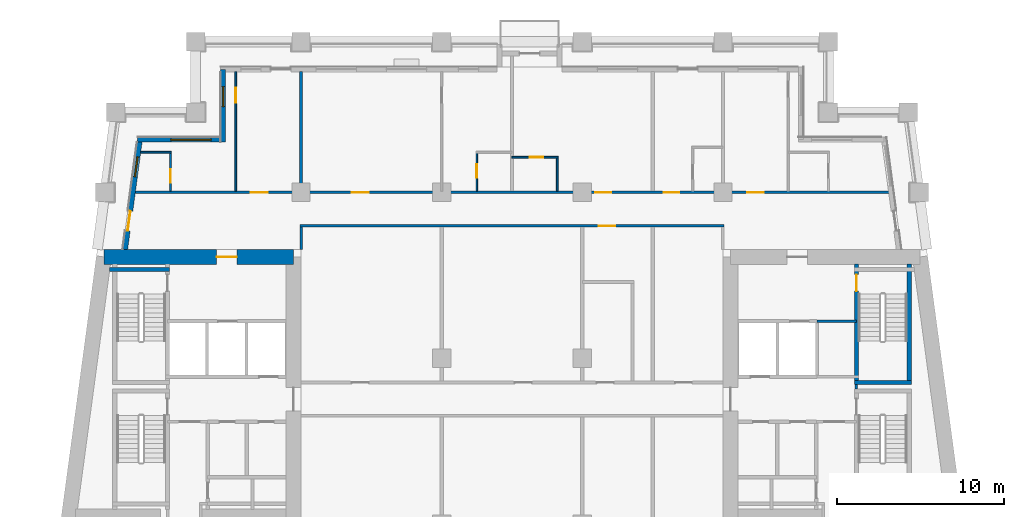
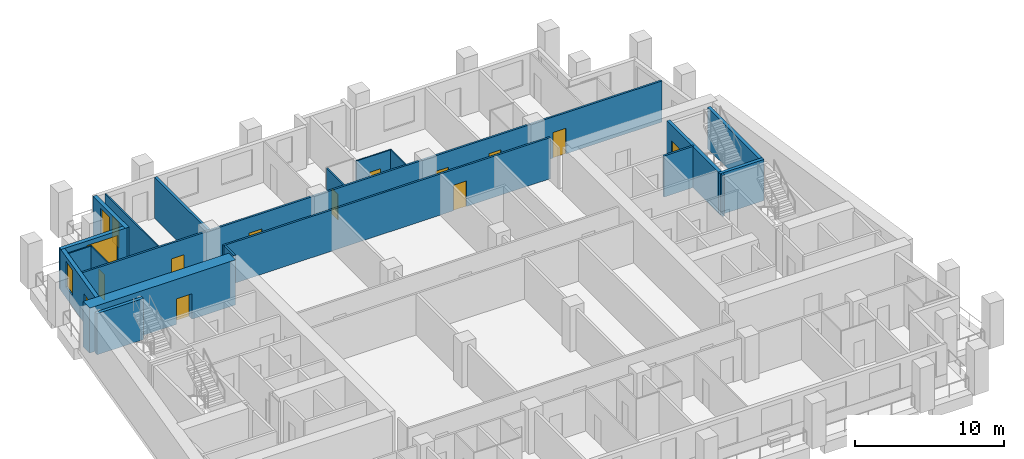
# One storey, part 6 of 13: 20 walls, 13 doors, 3 windows, 16 openings.
"""IFC4 building model written with IfcOpenShell, lengths in metres."""

from ifc_helpers import new_model, si_unit, direction, frame, frame_2d, origin, place, context, subcontext, project, spatial, rectangle, extrude, material, layer, layer_set, type_object, element, fill, save


model = new_model("IFC4")

# Units and contexts
model_context = context("Model", 3, precision=1e-05, world=origin(), true_north=direction((0.0, 1.0)))
body_context = subcontext(model_context, "Body", "Model", "MODEL_VIEW")
ifc_project = project(units=[si_unit("LENGTHUNIT", "METRE"), si_unit("AREAUNIT", "SQUARE_METRE"), si_unit("VOLUMEUNIT", "CUBIC_METRE"), si_unit("PLANEANGLEUNIT", "RADIAN"), si_unit("MASSUNIT", "GRAM", prefix="KILO")], contexts=[model_context])

# Site, building, storey
site_placement = place(None, origin())
site = spatial("IfcSite", under=ifc_project, at=site_placement, CompositionType="ELEMENT")
building_placement = place(site_placement, origin())
building = spatial("IfcBuilding", under=site, at=building_placement, Name="Candeia Pilgrim Tower and Theatre", CompositionType="ELEMENT")
storey_placement = place(building_placement, frame((0.0, 0.0, 151.5)))
storey = spatial("IfcBuildingStorey", under=building, at=storey_placement, Name="L35", CompositionType="ELEMENT", Elevation=151.5)

# Wall, opening, door
ifc_material_1 = material(Name="Concrete C60/75", Category="concrete")
ifc_layer_1 = layer(ifc_material_1, 0.89990234375)
ifc_layer_set_1 = layer_set([ifc_layer_1], Name="Core wall 900 C60/75")
wall_type_1 = type_object("IfcWallType", Name="Core wall 900 C60/75", PredefinedType="SHEAR", material=ifc_layer_set_1)
wall_1_placement = place(storey_placement, frame((89.024169921875, 131.949951171875, 0.0), z_axis=(0.0, 0.0, 1.0), x_axis=(1.0, 0.0, 0.0)))
wall_1 = element("IfcWall", 1, at=wall_1_placement, inside=storey, type_object=wall_type_1, Name="Core wall W1", PredefinedType="SHEAR", context=body_context, shape_type="SweptSolid", body=[
    extrude(rectangle(XDim=11.325927734375, YDim=0.89990234375, at=frame_2d((5.6630859375, 0.0))), origin(), (0.0, 0.0, 1.0), 3.699951171875),
])
opening_1_placement = place(wall_1_placement, frame((6.7392578125, 0.0, 0.0)))
opening_1 = element("IfcOpeningElement", 2, at=opening_1_placement, cuts=wall_1, Name="Opening L35-D058", PredefinedType="OPENING", context=body_context, shape_type="SweptSolid", body=[
    extrude(rectangle(XDim=1.199951171875, YDim=2.10009765625, at=frame_2d((0.60009765625, 1.050048828125))), frame((0.0, 0.4599609375, 0.0), z_axis=(0.0, -1.0, 0.0), x_axis=(1.0, 0.0, 0.0)), (0.0, 0.0, 1.0), 0.919921875),
])
ifc_material_2 = material(Name="Steel fire door set", Category="steel")
door_type_1 = type_object("IfcDoorType", Name="D-1200-FD60", OperationType="NOTDEFINED", PredefinedType="DOOR", material=ifc_material_2)
door_1_placement = place(opening_1_placement, origin())
door_1 = element("IfcDoor", 3, at=door_1_placement, inside=storey, type_object=door_type_1, Name="Door L35-D058", OperationType="SINGLE_SWING_LEFT", OverallHeight=2.10009765625, OverallWidth=1.199951171875, PredefinedType="DOOR", context=body_context, shape_type="SweptSolid", body=[
    extrude(rectangle(XDim=1.199951171875, YDim=2.10009765625, at=frame_2d((0.60009765625, 1.050048828125))), frame((0.0, 0.02490234375, 0.0), z_axis=(0.0, -1.0, 0.0), x_axis=(1.0, 0.0, 0.0)), (0.0, 0.0, 1.0), 0.050048828125),
])
fill(opening_1, door_1)

# Wall, opening, window
ifc_material_3 = material(Name="Ceramic block masonry", Category="masonry")
ifc_layer_2 = layer(ifc_material_3, 0.300048828125)
ifc_layer_set_2 = layer_set([ifc_layer_2], Name="EW1 glazing-line wall 300")
wall_type_2 = type_object("IfcWallType", Name="EW1 glazing-line wall 300", PredefinedType="SOLIDWALL", material=ifc_layer_set_2)
wall_2_placement = place(storey_placement, frame((96.14990234375, 143.14990234375, 0.0), z_axis=(0.0, 0.0, 1.0), x_axis=(0.0, -1.0, 0.0)))
wall_2 = element("IfcWall", 4, at=wall_2_placement, inside=storey, type_object=wall_type_2, Name="External wall L35-7.0", PredefinedType="SOLIDWALL", context=body_context, shape_type="SweptSolid", body=[
    extrude(rectangle(XDim=4.349853515625, YDim=0.300048828125, at=frame_2d((2.1748046875, 0.0))), origin(), (0.0, 0.0, 1.0), 3.3798828125),
])
opening_2_placement = place(wall_2_placement, frame((1.02490234375, 0.0, 0.89990234375)))
opening_2 = element("IfcOpeningElement", 5, at=opening_2_placement, cuts=wall_2, Name="Opening W-B", PredefinedType="OPENING", context=body_context, shape_type="SweptSolid", body=[
    extrude(rectangle(XDim=1.199951171875, YDim=2.10009765625, at=frame_2d((0.60009765625, 1.050048828125))), frame((0.0, 0.16015625, 0.0), z_axis=(0.0, -1.0, 0.0), x_axis=(1.0, 0.0, 0.0)), (0.0, 0.0, 1.0), 0.320068359375),
])
ifc_material_4 = material(Name="Aluminium framed double glazing", Category="aluminium")
window_type_1 = type_object("IfcWindowType", Name="W-B window 1200x2100", PartitioningType="SINGLE_PANEL", PredefinedType="WINDOW", material=ifc_material_4)
window_1_placement = place(opening_2_placement, origin())
window_1 = element("IfcWindow", 6, at=window_1_placement, inside=storey, type_object=window_type_1, Name="Window W-B L35", OverallHeight=2.10009765625, OverallWidth=1.199951171875, PartitioningType="SINGLE_PANEL", PredefinedType="WINDOW", context=body_context, shape_type="SweptSolid", body=[
    extrude(rectangle(XDim=1.199951171875, YDim=2.10009765625, at=frame_2d((0.60009765625, 1.050048828125))), frame((0.0, 0.030029296875, 0.0), z_axis=(0.0, -1.0, 0.0), x_axis=(1.0, 0.0, 0.0)), (0.0, 0.0, 1.0), 0.06005859375),
])
fill(opening_2, window_1)

wall_3_placement = place(storey_placement, frame((96.14990234375, 138.949951171875, 0.0), z_axis=(0.0, 0.0, 1.0), x_axis=(-1.0, 0.0, 0.0)))
wall_3 = element("IfcWall", 7, at=wall_3_placement, inside=storey, type_object=wall_type_2, Name="External wall L35-8.0", PredefinedType="SOLIDWALL", context=body_context, shape_type="SweptSolid", body=[
    extrude(rectangle(XDim=5.103759765625, YDim=0.300048828125, at=frame_2d((2.5517578125, 0.0))), origin(), (0.0, 0.0, 1.0), 3.3798828125),
])
opening_3_placement = place(wall_3_placement, frame((0.72509765625, 0.0, 0.89990234375)))
opening_3 = element("IfcOpeningElement", 8, at=opening_3_placement, cuts=wall_3, Name="Opening W-A", PredefinedType="OPENING", context=body_context, shape_type="SweptSolid", body=[
    extrude(rectangle(XDim=2.39990234375, YDim=2.10009765625, at=frame_2d((1.199951171875, 1.050048828125))), frame((0.0, 0.16015625, 0.0), z_axis=(0.0, -1.0, 0.0), x_axis=(1.0, 0.0, 0.0)), (0.0, 0.0, 1.0), 0.320068359375),
])
window_type_2 = type_object("IfcWindowType", Name="W-A window 2400x2100", PartitioningType="DOUBLE_PANEL_VERTICAL", PredefinedType="WINDOW", material=ifc_material_4)
window_2_placement = place(opening_3_placement, origin())
window_2 = element("IfcWindow", 9, at=window_2_placement, inside=storey, type_object=window_type_2, Name="Window W-A L35", OverallHeight=2.10009765625, OverallWidth=2.39990234375, PartitioningType="SINGLE_PANEL", PredefinedType="WINDOW", context=body_context, shape_type="SweptSolid", body=[
    extrude(rectangle(XDim=2.39990234375, YDim=2.10009765625, at=frame_2d((1.199951171875, 1.050048828125))), frame((0.0, 0.030029296875, 0.0), z_axis=(0.0, -1.0, 0.0), x_axis=(1.0, 0.0, 0.0)), (0.0, 0.0, 1.0), 0.06005859375),
])
fill(opening_3, window_2)

# Wall, openings, door, window
wall_4_placement = place(storey_placement, frame((91.177490234375, 138.949951171875, 0.0), z_axis=(0.0, 0.0, 1.0), x_axis=(-0.133426664613, -0.991058689065, 0.0)))
wall_4 = element("IfcWall", 10, at=wall_4_placement, inside=storey, type_object=wall_type_2, Name="External wall L35-9.0", PredefinedType="SOLIDWALL", context=body_context, shape_type="SweptSolid", body=[
    extrude(rectangle(XDim=6.609130859375, YDim=0.300048828125, at=frame_2d((3.3046875, 0.0))), origin(), (0.0, 0.0, 1.0), 3.3798828125),
])
opening_4_placement = place(wall_4_placement, frame((1.039306640625, 0.0, 0.89990234375)))
opening_4 = element("IfcOpeningElement", 11, at=opening_4_placement, cuts=wall_4, Name="Opening W-B", PredefinedType="OPENING", context=body_context, shape_type="SweptSolid", body=[
    extrude(rectangle(XDim=1.199951171875, YDim=2.10009765625, at=frame_2d((0.60009765625, 1.050048828125))), frame((0.0, 0.16015625, 0.0), z_axis=(0.0, -1.0, 0.0), x_axis=(1.0, 0.0, 0.0)), (0.0, 0.0, 1.0), 0.320068359375),
])
opening_5_placement = place(wall_4_placement, frame((4.293701171875, 0.0, 0.0)))
opening_5 = element("IfcOpeningElement", 12, at=opening_5_placement, cuts=wall_4, Name="Opening L35-ED341", PredefinedType="OPENING", context=body_context, shape_type="SweptSolid", body=[
    extrude(rectangle(XDim=1.199951171875, YDim=2.39990234375, at=frame_2d((0.60009765625, 1.199951171875))), frame((0.0, 0.16015625, 0.0), z_axis=(0.0, -1.0, 0.0), x_axis=(1.0, 0.0, 0.0)), (0.0, 0.0, 1.0), 0.320068359375),
])
ifc_material_5 = material(Name="Aluminium framed glazed door", Category="aluminium")
door_type_2 = type_object("IfcDoorType", Name="Loggia door 1200x2400", OperationType="DOUBLE_DOOR_SINGLE_SWING", PredefinedType="DOOR", material=ifc_material_5)
door_2_placement = place(opening_5_placement, origin())
door_2 = element("IfcDoor", 13, at=door_2_placement, inside=storey, type_object=door_type_2, Name="Loggia door L35-ED341", OperationType="DOUBLE_DOOR_SINGLE_SWING", OverallHeight=2.39990234375, OverallWidth=1.199951171875, PredefinedType="DOOR", context=body_context, shape_type="SweptSolid", body=[
    extrude(rectangle(XDim=1.199951171875, YDim=2.39990234375, at=frame_2d((0.60009765625, 1.199951171875))), frame((0.0, 0.02490234375, 0.0), z_axis=(0.0, -1.0, 0.0), x_axis=(1.0, 0.0, 0.0)), (0.0, 0.0, 1.0), 0.050048828125),
])
fill(opening_5, door_2)
window_3_placement = place(opening_4_placement, origin())
window_3 = element("IfcWindow", 14, at=window_3_placement, inside=storey, type_object=window_type_1, Name="Window W-B L35", OverallHeight=2.10009765625, OverallWidth=1.199951171875, PartitioningType="SINGLE_PANEL", PredefinedType="WINDOW", context=body_context, shape_type="SweptSolid", body=[
    extrude(rectangle(XDim=1.199951171875, YDim=2.10009765625, at=frame_2d((0.60009765625, 1.050048828125))), frame((0.0, 0.030029296875, 0.0), z_axis=(0.0, -1.0, 0.0), x_axis=(1.0, 0.0, 0.0)), (0.0, 0.0, 1.0), 0.06005859375),
])
fill(opening_4, window_3)

# Wall, opening, door
ifc_material_6 = material(Name="Gypsum board partition on steel studs", Category="steel")
ifc_layer_3 = layer(ifc_material_6, 0.10009765625)
ifc_layer_set_3 = layer_set([ifc_layer_3], Name="PW-100 room partition")
wall_type_3 = type_object("IfcWallType", Name="PW-100 room partition", PredefinedType="PARTITIONING", material=ifc_layer_set_3)
wall_5_placement = place(storey_placement, frame((113.39990234375, 137.89990234375, 0.0), z_axis=(0.0, 0.0, 1.0), x_axis=(1.0, 0.0, 0.0)))
wall_5 = element("IfcWall", 15, at=wall_5_placement, inside=storey, type_object=wall_type_3, Name="Room partition L35-043", PredefinedType="PARTITIONING", context=body_context, shape_type="SweptSolid", body=[
    extrude(rectangle(XDim=2.75, YDim=0.10009765625, at=frame_2d((1.375, 0.0))), origin(), (0.0, 0.0, 1.0), 3.3798828125),
])
opening_6_placement = place(wall_5_placement, frame((1.070068359375, 0.0, 0.0)))
opening_6 = element("IfcOpeningElement", 16, at=opening_6_placement, cuts=wall_5, Name="Opening L35-D042", PredefinedType="OPENING", context=body_context, shape_type="SweptSolid", body=[
    extrude(rectangle(XDim=0.800048828125, YDim=2.10009765625, at=frame_2d((0.39990234375, 1.050048828125))), frame((0.0, 0.06005859375, 0.0), z_axis=(0.0, -1.0, 0.0), x_axis=(1.0, 0.0, 0.0)), (0.0, 0.0, 1.0), 0.1201171875),
])
ifc_material_7 = material(Name="Timber door leaf", Category="wood")
door_type_3 = type_object("IfcDoorType", Name="D-800", OperationType="NOTDEFINED", PredefinedType="DOOR", material=ifc_material_7)
door_3_placement = place(opening_6_placement, origin())
door_3 = element("IfcDoor", 17, at=door_3_placement, inside=storey, type_object=door_type_3, Name="Door L35-D042", OperationType="SINGLE_SWING_LEFT", OverallHeight=2.10009765625, OverallWidth=0.800048828125, PredefinedType="DOOR", context=body_context, shape_type="SweptSolid", body=[
    extrude(rectangle(XDim=0.800048828125, YDim=2.10009765625, at=frame_2d((0.39990234375, 1.050048828125))), frame((0.0, 0.02490234375, 0.0), z_axis=(0.0, -1.0, 0.0), x_axis=(1.0, 0.0, 0.0)), (0.0, 0.0, 1.0), 0.050048828125),
])
fill(opening_6, door_3)

# Wall
wall_6_placement = place(storey_placement, frame((91.2177734375, 138.199951171875, 0.0), z_axis=(0.0, 0.0, 1.0), x_axis=(1.0, 0.0, 0.0)))
element("IfcWall", 18, at=wall_6_placement, inside=storey, type_object=wall_type_3, Name="Room partition L35-044", PredefinedType="PARTITIONING", context=body_context, shape_type="SweptSolid", body=[
    extrude(rectangle(XDim=1.832275390625, YDim=0.10009765625, at=frame_2d((0.916015625, 0.0))), origin(), (0.0, 0.0, 1.0), 3.3798828125),
])

# Wall, opening, door
wall_7_placement = place(storey_placement, frame((93.0, 135.875, 0.0), z_axis=(0.0, 0.0, 1.0), x_axis=(0.0, 1.0, 0.0)))
wall_7 = element("IfcWall", 19, at=wall_7_placement, inside=storey, type_object=wall_type_3, Name="Room partition L35-059", PredefinedType="PARTITIONING", context=body_context, shape_type="SweptSolid", body=[
    extrude(rectangle(XDim=2.27490234375, YDim=0.10009765625, at=frame_2d((1.137451171875, 0.0))), origin(), (0.0, 0.0, 1.0), 3.3798828125),
])
opening_7_placement = place(wall_7_placement, frame((0.5, 0.0, 0.0)))
opening_7 = element("IfcOpeningElement", 20, at=opening_7_placement, cuts=wall_7, Name="Opening L35-D037", PredefinedType="OPENING", context=body_context, shape_type="SweptSolid", body=[
    extrude(rectangle(XDim=0.800048828125, YDim=2.10009765625, at=frame_2d((0.39990234375, 1.050048828125))), frame((0.0, 0.06005859375, 0.0), z_axis=(0.0, -1.0, 0.0), x_axis=(1.0, 0.0, 0.0)), (0.0, 0.0, 1.0), 0.1201171875),
])
door_4_placement = place(opening_7_placement, origin())
door_4 = element("IfcDoor", 21, at=door_4_placement, inside=storey, type_object=door_type_3, Name="Door L35-D037", OperationType="SINGLE_SWING_RIGHT", OverallHeight=2.10009765625, OverallWidth=0.800048828125, PredefinedType="DOOR", context=body_context, shape_type="SweptSolid", body=[
    extrude(rectangle(XDim=0.800048828125, YDim=2.10009765625, at=frame_2d((0.39990234375, 1.050048828125))), frame((0.0, 0.02490234375, 0.0), z_axis=(0.0, -1.0, 0.0), x_axis=(1.0, 0.0, 0.0)), (0.0, 0.0, 1.0), 0.050048828125),
])
fill(opening_7, door_4)

wall_8_placement = place(storey_placement, frame((96.89990234375, 135.875, 0.0), z_axis=(0.0, 0.0, 1.0), x_axis=(0.0, 1.0, 0.0)))
wall_8 = element("IfcWall", 22, at=wall_8_placement, inside=storey, type_object=wall_type_3, Name="Room partition L35-065", PredefinedType="PARTITIONING", context=body_context, shape_type="SweptSolid", body=[
    extrude(rectangle(XDim=7.135009765625, YDim=0.10009765625, at=frame_2d((3.5673828125, 0.0))), origin(), (0.0, 0.0, 1.0), 3.3798828125),
])
opening_8_placement = place(wall_8_placement, frame((5.2900390625, 0.0, 0.0)))
opening_8 = element("IfcOpeningElement", 23, at=opening_8_placement, cuts=wall_8, Name="Opening L35-D036", PredefinedType="OPENING", context=body_context, shape_type="SweptSolid", body=[
    extrude(rectangle(XDim=0.89990234375, YDim=2.10009765625, at=frame_2d((0.449951171875, 1.050048828125))), frame((0.0, 0.06005859375, 0.0), z_axis=(0.0, -1.0, 0.0), x_axis=(1.0, 0.0, 0.0)), (0.0, 0.0, 1.0), 0.1201171875),
])
door_type_4 = type_object("IfcDoorType", Name="D-900", OperationType="NOTDEFINED", PredefinedType="DOOR", material=ifc_material_7)
door_5_placement = place(opening_8_placement, origin())
door_5 = element("IfcDoor", 24, at=door_5_placement, inside=storey, type_object=door_type_4, Name="Door L35-D036", OperationType="SINGLE_SWING_LEFT", OverallHeight=2.10009765625, OverallWidth=0.89990234375, PredefinedType="DOOR", context=body_context, shape_type="SweptSolid", body=[
    extrude(rectangle(XDim=0.89990234375, YDim=2.10009765625, at=frame_2d((0.449951171875, 1.050048828125))), frame((0.0, 0.02490234375, 0.0), z_axis=(0.0, -1.0, 0.0), x_axis=(1.0, 0.0, 0.0)), (0.0, 0.0, 1.0), 0.050048828125),
])
fill(opening_8, door_5)

wall_9_placement = place(storey_placement, frame((111.300048828125, 135.875, 0.0), z_axis=(0.0, 0.0, 1.0), x_axis=(0.0, 1.0, 0.0)))
wall_9 = element("IfcWall", 25, at=wall_9_placement, inside=storey, type_object=wall_type_3, Name="Room partition L35-082", PredefinedType="PARTITIONING", context=body_context, shape_type="SweptSolid", body=[
    extrude(rectangle(XDim=2.27490234375, YDim=0.10009765625, at=frame_2d((1.137451171875, 0.0))), origin(), (0.0, 0.0, 1.0), 3.3798828125),
])
opening_9_placement = place(wall_9_placement, frame((0.81494140625, 0.0, 0.0)))
opening_9 = element("IfcOpeningElement", 26, at=opening_9_placement, cuts=wall_9, Name="Opening L35-D040", PredefinedType="OPENING", context=body_context, shape_type="SweptSolid", body=[
    extrude(rectangle(XDim=0.800048828125, YDim=2.10009765625, at=frame_2d((0.39990234375, 1.050048828125))), frame((0.0, 0.06005859375, 0.0), z_axis=(0.0, -1.0, 0.0), x_axis=(1.0, 0.0, 0.0)), (0.0, 0.0, 1.0), 0.1201171875),
])
door_6_placement = place(opening_9_placement, origin())
door_6 = element("IfcDoor", 27, at=door_6_placement, inside=storey, type_object=door_type_3, Name="Door L35-D040", OperationType="SINGLE_SWING_LEFT", OverallHeight=2.10009765625, OverallWidth=0.800048828125, PredefinedType="DOOR", context=body_context, shape_type="SweptSolid", body=[
    extrude(rectangle(XDim=0.800048828125, YDim=2.10009765625, at=frame_2d((0.39990234375, 1.050048828125))), frame((0.0, 0.02490234375, 0.0), z_axis=(0.0, -1.0, 0.0), x_axis=(1.0, 0.0, 0.0)), (0.0, 0.0, 1.0), 0.050048828125),
])
fill(opening_9, door_6)

# Walls
wall_10_placement = place(storey_placement, frame((116.10009765625, 135.875, 0.0), z_axis=(0.0, 0.0, 1.0), x_axis=(0.0, 1.0, 0.0)))
element("IfcWall", 28, at=wall_10_placement, inside=storey, type_object=wall_type_3, Name="Room partition L35-086", PredefinedType="PARTITIONING", context=body_context, shape_type="SweptSolid", body=[
    extrude(rectangle(XDim=1.97509765625, YDim=0.10009765625, at=frame_2d((0.987548828125, 0.0))), origin(), (0.0, 0.0, 1.0), 3.3798828125),
])
ifc_layer_4 = layer(ifc_material_6, 0.14990234375)
ifc_layer_set_4 = layer_set([ifc_layer_4], Name="PW-150 lobby wall")
wall_type_4 = type_object("IfcWallType", Name="PW-150 lobby wall", PredefinedType="PARTITIONING", material=ifc_layer_set_4)
wall_11_placement = place(storey_placement, frame((131.615234375, 128.10009765625, 0.0), z_axis=(0.0, 0.0, 1.0), x_axis=(1.0, 0.0, 0.0)))
element("IfcWall", 29, at=wall_11_placement, inside=storey, type_object=wall_type_4, Name="Lobby wall L35-037", PredefinedType="PARTITIONING", context=body_context, shape_type="SweptSolid", body=[
    extrude(rectangle(XDim=2.357666015625, YDim=0.14990234375, at=frame_2d((1.1787109375, 0.0))), origin(), (0.0, 0.0, 1.0), 3.3798828125),
])
wall_12_placement = place(storey_placement, frame((133.972900390625, 124.074951171875, 0.0), z_axis=(0.0, 0.0, 1.0), x_axis=(0.0, 1.0, 0.0)))
element("IfcWall", 30, at=wall_12_placement, inside=storey, type_object=wall_type_4, Name="Lobby wall L35-114", PredefinedType="PARTITIONING", context=body_context, shape_type="SweptSolid", body=[
    extrude(rectangle(XDim=0.25, YDim=0.14990234375, at=frame_2d((0.125, 0.0))), origin(), (0.0, 0.0, 1.0), 3.3798828125),
])

# Wall, opening, door
ifc_layer_5 = layer(ifc_material_6, 0.14990234375)
ifc_layer_set_5 = layer_set([ifc_layer_5], Name="PW-150 unit wall")
wall_type_5 = type_object("IfcWallType", Name="PW-150 unit wall", PredefinedType="PARTITIONING", material=ifc_layer_set_5)
wall_13_placement = place(storey_placement, frame((100.72509765625, 133.800048828125, 0.0), z_axis=(0.0, 0.0, 1.0), x_axis=(1.0, 0.0, 0.0)))
wall_13 = element("IfcWall", 31, at=wall_13_placement, inside=storey, type_object=wall_type_5, Name="Unit wall L35-041", PredefinedType="PARTITIONING", context=body_context, shape_type="SweptSolid", body=[
    extrude(rectangle(XDim=25.349853515625, YDim=0.14990234375, at=frame_2d((12.6748046875, 0.0))), origin(), (0.0, 0.0, 1.0), 3.3798828125),
])
opening_10_placement = place(wall_13_placement, frame((17.85009765625, 0.0, 0.0)))
opening_10 = element("IfcOpeningElement", 32, at=opening_10_placement, cuts=wall_13, Name="Opening L35-D048", PredefinedType="OPENING", context=body_context, shape_type="SweptSolid", body=[
    extrude(rectangle(XDim=1.0, YDim=2.10009765625, at=frame_2d((0.5, 1.050048828125))), frame((0.0, 0.0849609375, 0.0), z_axis=(0.0, -1.0, 0.0), x_axis=(1.0, 0.0, 0.0)), (0.0, 0.0, 1.0), 0.169921875),
])
door_type_5 = type_object("IfcDoorType", Name="D-1000-FD30S", OperationType="NOTDEFINED", PredefinedType="DOOR", material=ifc_material_2)
door_7_placement = place(opening_10_placement, origin())
door_7 = element("IfcDoor", 33, at=door_7_placement, inside=storey, type_object=door_type_5, Name="Door L35-D048", OperationType="SINGLE_SWING_LEFT", OverallHeight=2.10009765625, OverallWidth=1.0, PredefinedType="DOOR", context=body_context, shape_type="SweptSolid", body=[
    extrude(rectangle(XDim=1.0, YDim=2.10009765625, at=frame_2d((0.5, 1.050048828125))), frame((0.0, 0.02490234375, 0.0), z_axis=(0.0, -1.0, 0.0), x_axis=(1.0, 0.0, 0.0)), (0.0, 0.0, 1.0), 0.050048828125),
])
fill(opening_10, door_7)

# Wall, openings, doors
wall_14_placement = place(storey_placement, frame((90.89453125, 135.800048828125, 0.0), z_axis=(0.0, 0.0, 1.0), x_axis=(1.0, 0.0, 0.0)))
wall_14 = element("IfcWall", 34, at=wall_14_placement, inside=storey, type_object=wall_type_5, Name="Unit wall L35-042", PredefinedType="PARTITIONING", context=body_context, shape_type="SweptSolid", body=[
    extrude(rectangle(XDim=45.010986328125, YDim=0.14990234375, at=frame_2d((22.50537109375, 0.0))), origin(), (0.0, 0.0, 1.0), 3.3798828125),
])
opening_11_placement = place(wall_14_placement, frame((6.905517578125, 0.0, 0.0)))
opening_11 = element("IfcOpeningElement", 35, at=opening_11_placement, cuts=wall_14, Name="Opening L35-D035", PredefinedType="OPENING", context=body_context, shape_type="SweptSolid", body=[
    extrude(rectangle(XDim=1.0, YDim=2.10009765625, at=frame_2d((0.5, 1.050048828125))), frame((0.0, 0.0849609375, 0.0), z_axis=(0.0, -1.0, 0.0), x_axis=(1.0, 0.0, 0.0)), (0.0, 0.0, 1.0), 0.169921875),
])
opening_12_placement = place(wall_14_placement, frame((12.935302734375, 0.0, 0.0)))
opening_12 = element("IfcOpeningElement", 36, at=opening_12_placement, cuts=wall_14, Name="Opening L35-D038", PredefinedType="OPENING", context=body_context, shape_type="SweptSolid", body=[
    extrude(rectangle(XDim=1.0, YDim=2.10009765625, at=frame_2d((0.5, 1.050048828125))), frame((0.0, 0.0849609375, 0.0), z_axis=(0.0, -1.0, 0.0), x_axis=(1.0, 0.0, 0.0)), (0.0, 0.0, 1.0), 0.169921875),
])
opening_13_placement = place(wall_14_placement, frame((27.477294921875, 0.0, 0.0)))
opening_13 = element("IfcOpeningElement", 37, at=opening_13_placement, cuts=wall_14, Name="Opening L35-D041", PredefinedType="OPENING", context=body_context, shape_type="SweptSolid", body=[
    extrude(rectangle(XDim=0.949951171875, YDim=2.10009765625, at=frame_2d((0.47509765625, 1.050048828125))), frame((0.0, 0.0849609375, 0.0), z_axis=(0.0, -1.0, 0.0), x_axis=(1.0, 0.0, 0.0)), (0.0, 0.0, 1.0), 0.169921875),
])
opening_14_placement = place(wall_14_placement, frame((31.555419921875, 0.0, 0.0)))
opening_14 = element("IfcOpeningElement", 38, at=opening_14_placement, cuts=wall_14, Name="Opening L35-D043", PredefinedType="OPENING", context=body_context, shape_type="SweptSolid", body=[
    extrude(rectangle(XDim=0.949951171875, YDim=2.10009765625, at=frame_2d((0.47509765625, 1.050048828125))), frame((0.0, 0.0849609375, 0.0), z_axis=(0.0, -1.0, 0.0), x_axis=(1.0, 0.0, 0.0)), (0.0, 0.0, 1.0), 0.169921875),
])
opening_15_placement = place(wall_14_placement, frame((36.555419921875, 0.0, 0.0)))
opening_15 = element("IfcOpeningElement", 39, at=opening_15_placement, cuts=wall_14, Name="Opening L35-D045", PredefinedType="OPENING", context=body_context, shape_type="SweptSolid", body=[
    extrude(rectangle(XDim=1.0, YDim=2.10009765625, at=frame_2d((0.5, 1.050048828125))), frame((0.0, 0.0849609375, 0.0), z_axis=(0.0, -1.0, 0.0), x_axis=(1.0, 0.0, 0.0)), (0.0, 0.0, 1.0), 0.169921875),
])
door_8_placement = place(opening_11_placement, origin())
door_8 = element("IfcDoor", 40, at=door_8_placement, inside=storey, type_object=door_type_5, Name="Door L35-D035", OperationType="SINGLE_SWING_RIGHT", OverallHeight=2.10009765625, OverallWidth=1.0, PredefinedType="DOOR", context=body_context, shape_type="SweptSolid", body=[
    extrude(rectangle(XDim=1.0, YDim=2.10009765625, at=frame_2d((0.5, 1.050048828125))), frame((0.0, 0.02490234375, 0.0), z_axis=(0.0, -1.0, 0.0), x_axis=(1.0, 0.0, 0.0)), (0.0, 0.0, 1.0), 0.050048828125),
])
fill(opening_11, door_8)
door_9_placement = place(opening_12_placement, origin())
door_9 = element("IfcDoor", 41, at=door_9_placement, inside=storey, type_object=door_type_5, Name="Door L35-D038", OperationType="SINGLE_SWING_LEFT", OverallHeight=2.10009765625, OverallWidth=1.0, PredefinedType="DOOR", context=body_context, shape_type="SweptSolid", body=[
    extrude(rectangle(XDim=1.0, YDim=2.10009765625, at=frame_2d((0.5, 1.050048828125))), frame((0.0, 0.02490234375, 0.0), z_axis=(0.0, -1.0, 0.0), x_axis=(1.0, 0.0, 0.0)), (0.0, 0.0, 1.0), 0.050048828125),
])
fill(opening_12, door_9)
door_10_placement = place(opening_15_placement, origin())
door_10 = element("IfcDoor", 42, at=door_10_placement, inside=storey, type_object=door_type_5, Name="Door L35-D045", OperationType="SINGLE_SWING_RIGHT", OverallHeight=2.10009765625, OverallWidth=1.0, PredefinedType="DOOR", context=body_context, shape_type="SweptSolid", body=[
    extrude(rectangle(XDim=1.0, YDim=2.10009765625, at=frame_2d((0.5, 1.050048828125))), frame((0.0, 0.02490234375, 0.0), z_axis=(0.0, -1.0, 0.0), x_axis=(1.0, 0.0, 0.0)), (0.0, 0.0, 1.0), 0.050048828125),
])
fill(opening_15, door_10)
door_type_6 = type_object("IfcDoorType", Name="D-950-FD30S", OperationType="NOTDEFINED", PredefinedType="DOOR", material=ifc_material_2)
door_11_placement = place(opening_13_placement, origin())
door_11 = element("IfcDoor", 43, at=door_11_placement, inside=storey, type_object=door_type_6, Name="Door L35-D041", OperationType="SINGLE_SWING_RIGHT", OverallHeight=2.10009765625, OverallWidth=0.949951171875, PredefinedType="DOOR", context=body_context, shape_type="SweptSolid", body=[
    extrude(rectangle(XDim=0.949951171875, YDim=2.10009765625, at=frame_2d((0.47509765625, 1.050048828125))), frame((0.0, 0.02490234375, 0.0), z_axis=(0.0, -1.0, 0.0), x_axis=(1.0, 0.0, 0.0)), (0.0, 0.0, 1.0), 0.050048828125),
])
fill(opening_13, door_11)
door_12_placement = place(opening_14_placement, origin())
door_12 = element("IfcDoor", 44, at=door_12_placement, inside=storey, type_object=door_type_6, Name="Door L35-D043", OperationType="SINGLE_SWING_RIGHT", OverallHeight=2.10009765625, OverallWidth=0.949951171875, PredefinedType="DOOR", context=body_context, shape_type="SweptSolid", body=[
    extrude(rectangle(XDim=0.949951171875, YDim=2.10009765625, at=frame_2d((0.47509765625, 1.050048828125))), frame((0.0, 0.02490234375, 0.0), z_axis=(0.0, -1.0, 0.0), x_axis=(1.0, 0.0, 0.0)), (0.0, 0.0, 1.0), 0.050048828125),
])
fill(opening_14, door_12)

# Walls
wall_15_placement = place(storey_placement, frame((100.800048828125, 132.39990234375, 0.0), z_axis=(0.0, 0.0, 1.0), x_axis=(0.0, 1.0, 0.0)))
element("IfcWall", 45, at=wall_15_placement, inside=storey, type_object=wall_type_5, Name="Unit wall L35-074", PredefinedType="PARTITIONING", context=body_context, shape_type="SweptSolid", body=[
    extrude(rectangle(XDim=1.3251953125, YDim=0.14990234375, at=frame_2d((0.66259765625, 0.0))), origin(), (0.0, 0.0, 1.0), 3.3798828125),
])
ifc_layer_6 = layer(ifc_material_6, 0.199951171875)
ifc_layer_set_6 = layer_set([ifc_layer_6], Name="PW-200 party wall")
wall_type_6 = type_object("IfcWallType", Name="PW-200 party wall", PredefinedType="PARTITIONING", material=ifc_layer_set_6)
wall_16_placement = place(storey_placement, frame((100.800048828125, 135.875, 0.0), z_axis=(0.0, 0.0, 1.0), x_axis=(0.0, 1.0, 0.0)))
element("IfcWall", 46, at=wall_16_placement, inside=storey, type_object=wall_type_6, Name="Party wall L35-072", PredefinedType="PARTITIONING", context=body_context, shape_type="SweptSolid", body=[
    extrude(rectangle(XDim=7.135009765625, YDim=0.199951171875, at=frame_2d((3.5673828125, 0.0))), origin(), (0.0, 0.0, 1.0), 3.3798828125),
])
ifc_material_8 = material(Name="Concrete C40/50", Category="concrete")
ifc_layer_7 = layer(ifc_material_8, 0.25)
ifc_layer_set_7 = layer_set([ifc_layer_7], Name="SW-250 stair wall")
wall_type_7 = type_object("IfcWallType", Name="SW-250 stair wall", PredefinedType="PARTITIONING", material=ifc_layer_set_7)
wall_17_placement = place(storey_placement, frame((133.847900390625, 124.449951171875, 0.0), z_axis=(0.0, 0.0, 1.0), x_axis=(1.0, 0.0, 0.0)))
element("IfcWall", 47, at=wall_17_placement, inside=storey, type_object=wall_type_7, Name="Stair wall L35-030", PredefinedType="PARTITIONING", context=body_context, shape_type="SweptSolid", body=[
    extrude(rectangle(XDim=3.400146484375, YDim=0.25, at=frame_2d((1.7001953125, 0.0))), origin(), (0.0, 0.0, 1.0), 3.3798828125),
])
wall_18_placement = place(storey_placement, frame((89.347412109375, 131.199951171875, 0.0), z_axis=(0.0, 0.0, 1.0), x_axis=(1.0, 0.0, 0.0)))
element("IfcWall", 48, at=wall_18_placement, inside=storey, type_object=wall_type_7, Name="Stair wall L35-039", PredefinedType="PARTITIONING", context=body_context, shape_type="SweptSolid", body=[
    extrude(rectangle(XDim=3.6044921875, YDim=0.25, at=frame_2d((1.80224609375, 0.0))), origin(), (0.0, 0.0, 1.0), 3.3798828125),
])

# Wall, opening, door
wall_19_placement = place(storey_placement, frame((133.972900390625, 124.574951171875, 0.0), z_axis=(0.0, 0.0, 1.0), x_axis=(0.0, 1.0, 0.0)))
wall_19 = element("IfcWall", 49, at=wall_19_placement, inside=storey, type_object=wall_type_7, Name="Stair wall L35-116", PredefinedType="PARTITIONING", context=body_context, shape_type="SweptSolid", body=[
    extrude(rectangle(XDim=6.955078125, YDim=0.25, at=frame_2d((3.4775390625, 0.0))), origin(), (0.0, 0.0, 1.0), 3.3798828125),
])
opening_16_placement = place(wall_19_placement, frame((5.324951171875, 0.0, 0.0)))
opening_16 = element("IfcOpeningElement", 50, at=opening_16_placement, cuts=wall_19, Name="Opening L35-D013", PredefinedType="OPENING", context=body_context, shape_type="SweptSolid", body=[
    extrude(rectangle(XDim=1.0, YDim=2.10009765625, at=frame_2d((0.5, 1.050048828125))), frame((0.0, 0.135009765625, 0.0), z_axis=(0.0, -1.0, 0.0), x_axis=(1.0, 0.0, 0.0)), (0.0, 0.0, 1.0), 0.27001953125),
])
door_type_7 = type_object("IfcDoorType", Name="D-1000-FD60", OperationType="NOTDEFINED", PredefinedType="DOOR", material=ifc_material_2)
door_13_placement = place(opening_16_placement, origin())
door_13 = element("IfcDoor", 51, at=door_13_placement, inside=storey, type_object=door_type_7, Name="Door L35-D013", OperationType="SINGLE_SWING_LEFT", OverallHeight=2.10009765625, OverallWidth=1.0, PredefinedType="DOOR", context=body_context, shape_type="SweptSolid", body=[
    extrude(rectangle(XDim=1.0, YDim=2.10009765625, at=frame_2d((0.5, 1.050048828125))), frame((0.0, 0.02490234375, 0.0), z_axis=(0.0, -1.0, 0.0), x_axis=(1.0, 0.0, 0.0)), (0.0, 0.0, 1.0), 0.050048828125),
])
fill(opening_16, door_13)

# Wall
wall_20_placement = place(storey_placement, frame((137.123046875, 124.574951171875, 0.0), z_axis=(0.0, 0.0, 1.0), x_axis=(0.0, 1.0, 0.0)))
element("IfcWall", 52, at=wall_20_placement, inside=storey, type_object=wall_type_7, Name="Stair wall L35-120", PredefinedType="PARTITIONING", context=body_context, shape_type="SweptSolid", body=[
    extrude(rectangle(XDim=6.955078125, YDim=0.25, at=frame_2d((3.4775390625, 0.0))), origin(), (0.0, 0.0, 1.0), 3.3798828125),
])

save(model, "model.ifc")
